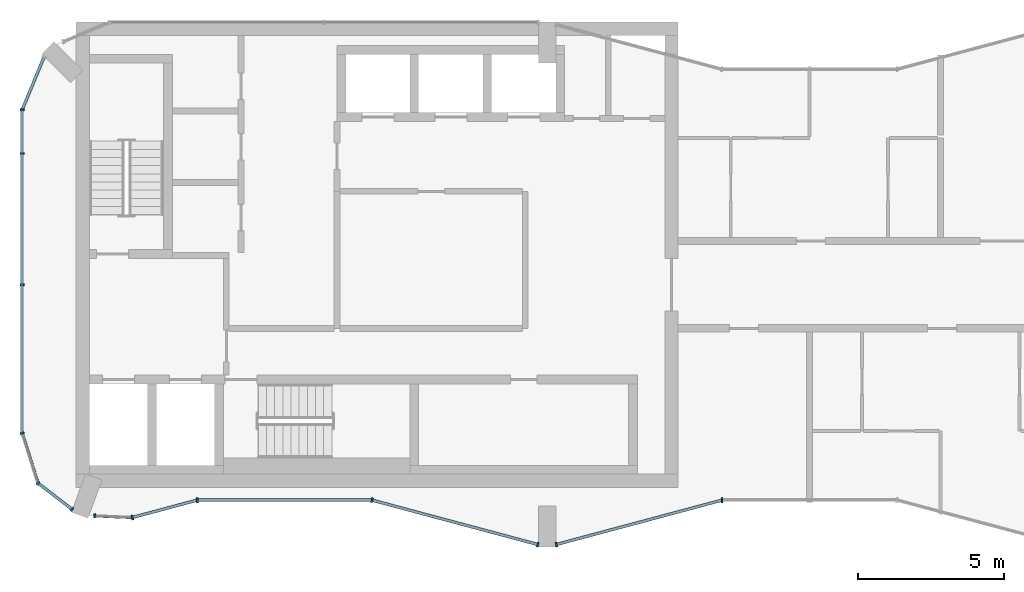
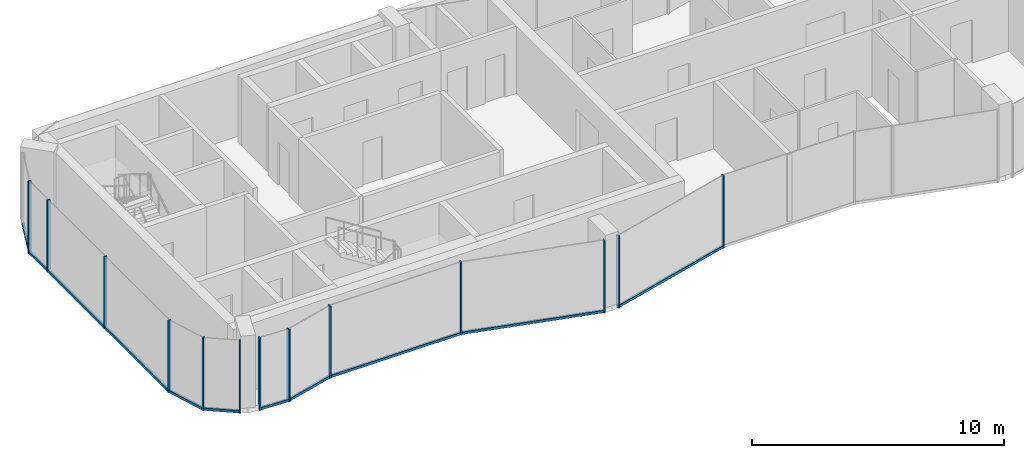
# One storey, part 2 of 10: 22 members, 10 elements without a shape of their own.
"""IFC4 building model written with IfcOpenShell, lengths in metres."""

import ifcopenshell
import ifcopenshell.guid

model = None  # the IFC model being written
_history = None  # IfcOwnerHistory: only IFC2X3 demands one
_inside = {}  # id of a spatial element -> (the spatial element, [elements in it])
_under = {}  # id of a project, library or spatial element -> (it, [spatial elements below it])
_declared = {}  # id of a project -> (the project, [libraries it declares])
_typed = {}  # id of a type object -> (the type object, [elements of that type])
_made_of = {}  # id of a material, layer set ... -> (it, [elements and type objects made of it])


def new_model(schema):
    """Start an empty IFC model of exactly this schema.

    Asked for "IFC4X3", IfcOpenShell would pick the latest addendum, in which some entities
    have other attributes; the version numbers below select the first issue.
    IFC2X3 requires an IfcOwnerHistory on every rooted entity: one is made here for all.
    """
    global model, _history
    if schema == "IFC4X3":
        model = ifcopenshell.file(schema_version=(4, 3, 0, 0))
    else:
        model = ifcopenshell.file(schema=schema)
    _inside.clear()
    _under.clear()
    _declared.clear()
    _typed.clear()
    _made_of.clear()
    _history = None
    if model.schema == "IFC2X3":
        org = make("IfcOrganization", Name="unknown")
        user = make(
            "IfcPersonAndOrganization",
            ThePerson=make("IfcPerson", FamilyName="unknown"),
            TheOrganization=org,
        )
        app = make(
            "IfcApplication",
            ApplicationDeveloper=org,
            Version="unknown",
            ApplicationFullName="unknown",
            ApplicationIdentifier="unknown",
        )
        _history = make(
            "IfcOwnerHistory",
            OwningUser=user,
            OwningApplication=app,
            ChangeAction="ADDED",
            CreationDate=0,
        )
    return model


def make(cls, **values):
    """One entity of the class cls with the attributes given. An attribute that is None is left unset."""
    return model.create_entity(
        cls, **{name: value for name, value in values.items() if value is not None}
    )


def rooted(cls, **values):
    """An entity with a GlobalId (a new one), such as an element, a storey or a relation."""
    return make(cls, GlobalId=ifcopenshell.guid.new(), OwnerHistory=_history, **values)


def si_unit(unit_type, name, prefix=None):
    """IfcSIUnit, for example si_unit("LENGTHUNIT", "METRE", prefix="MILLI")."""
    return make("IfcSIUnit", UnitType=unit_type, Prefix=prefix, Name=name)


def assignment(units):
    """IfcUnitAssignment: the units of a project."""
    return None if units is None else make("IfcUnitAssignment", Units=units)


def point(xyz):
    """IfcCartesianPoint."""
    return None if xyz is None else make("IfcCartesianPoint", Coordinates=xyz)


def direction(xyz):
    """IfcDirection."""
    return None if xyz is None else make("IfcDirection", DirectionRatios=xyz)


def frame(location, z_axis=None, x_axis=None):
    """IfcAxis2Placement3D, a coordinate frame: its origin and axes. An axis left out is left unset."""
    return make(
        "IfcAxis2Placement3D",
        Location=point(location),
        Axis=direction(z_axis),
        RefDirection=direction(x_axis),
    )


def frame_2d(location, x_axis=None):
    """IfcAxis2Placement2D, a coordinate frame in the plane: its origin and x axis."""
    return make(
        "IfcAxis2Placement2D", Location=point(location), RefDirection=direction(x_axis)
    )


def origin():
    """The frame at (0, 0, 0) with its axes left unset."""
    return frame((0.0, 0.0, 0.0))


def origin_2d():
    """The frame at (0, 0) in the plane with its x axis left unset."""
    return frame_2d((0.0, 0.0))


def place(relative_to, where):
    """IfcLocalPlacement: puts the frame where relative to a parent placement (None: the world)."""
    return make(
        "IfcLocalPlacement", PlacementRelTo=relative_to, RelativePlacement=where
    )


def context(
    kind, dimensions, precision=None, world=None, true_north=None, identifier=None
):
    """IfcGeometricRepresentationContext, for example the 3D "Model" context."""
    return make(
        "IfcGeometricRepresentationContext",
        ContextIdentifier=identifier,
        ContextType=kind,
        CoordinateSpaceDimension=dimensions,
        Precision=precision,
        WorldCoordinateSystem=world,
        TrueNorth=true_north,
    )


def subcontext(parent, identifier, kind, view, scale=None):
    """IfcGeometricRepresentationSubContext, for example "Body" below "Model"."""
    return make(
        "IfcGeometricRepresentationSubContext",
        ContextIdentifier=identifier,
        ContextType=kind,
        ParentContext=parent,
        TargetScale=scale,
        TargetView=view,
    )


def project(units=None, contexts=None):
    """IfcProject with its units and contexts."""
    return rooted(
        "IfcProject",
        Name="project",
        RepresentationContexts=contexts,
        UnitsInContext=assignment(units),
    )


def spatial(cls, under=None, at=None, **own):
    """A site, building, storey or space (cls), placed at a placement, below another one or the project."""
    s = rooted(cls, ObjectPlacement=at, **own)
    if under is not None:
        _under.setdefault(under.id(), (under, []))[1].append(s)
    return s


def profile(cls, at=None, kind="AREA", **sizes):
    """A parametric profile (cls). Its sizes go by their IFC names, for example OverallWidth=200.0."""
    return make(cls, ProfileType=kind, Position=at, **sizes)


def rectangle(**sizes):
    """IfcRectangleProfileDef."""
    return profile("IfcRectangleProfileDef", **sizes)


def extrude(swept, where, along, depth):
    """IfcExtrudedAreaSolid: the profile swept, set in the frame where, extruded along a direction by depth."""
    return make(
        "IfcExtrudedAreaSolid",
        SweptArea=swept,
        Position=where,
        ExtrudedDirection=direction(along),
        Depth=depth,
    )


def shape(context_of_items, identifier, shape_type, items):
    """IfcShapeRepresentation: the items that make up one representation, for example the "Body"."""
    return make(
        "IfcShapeRepresentation",
        ContextOfItems=context_of_items,
        RepresentationIdentifier=identifier,
        RepresentationType=shape_type,
        Items=items,
    )


def material(Name=None, Category=None):
    """IfcMaterial."""
    return make("IfcMaterial", Name=Name, Category=Category)


def layer(
    of_material, thickness, ventilated=None, Name=None, Category=None, Priority=None
):
    """IfcMaterialLayer: one layer of a wall or slab, of a material (None: an air gap)."""
    return make(
        "IfcMaterialLayer",
        Material=of_material,
        LayerThickness=thickness,
        IsVentilated=ventilated,
        Name=Name,
        Category=Category,
        Priority=Priority,
    )


def layer_set(layers, Name=None):
    """IfcMaterialLayerSet."""
    return make("IfcMaterialLayerSet", MaterialLayers=layers, LayerSetName=Name)


def material_profile(
    of_material, cross_section, Name=None, Category=None, Priority=None
):
    """IfcMaterialProfile: a cross section and its material."""
    return make(
        "IfcMaterialProfile",
        Name=Name,
        Material=of_material,
        Profile=cross_section,
        Priority=Priority,
        Category=Category,
    )


def profile_set(profiles, Name=None, composite=None):
    """IfcMaterialProfileSet."""
    return make(
        "IfcMaterialProfileSet",
        Name=Name,
        MaterialProfiles=profiles,
        CompositeProfile=composite,
    )


def made_of(thing, what):
    """Note that an element or type object is made of a material, layer set ...; save() writes the relation."""
    if what is not None:
        _made_of.setdefault(what.id(), (what, []))[1].append(thing)
    return thing


def type_object(cls, material=None, **own):
    """A type object (cls), such as IfcWallType, which elements share."""
    return made_of(rooted(cls, **own), material)


def element(
    cls,
    number,
    at=None,
    inside=None,
    cuts=None,
    type_object=None,
    material=None,
    context=None,
    identifier="Body",
    shape_type=None,
    held_by="IfcProductDefinitionShape",
    body=None,
    shapes=None,
    **own,
):
    """One element of the class cls, such as IfcWall. Its Tag is "e" and its number.

    at: its placement. inside: the storey or other place that contains it. cuts: it is an
    opening in that element (IfcRelVoidsElement). A single representation is given by context,
    identifier, shape_type and body (its items); several are given by shapes. held_by: the class
    of the entity that holds the representations. save() writes the other relations.
    """
    e = rooted(cls, Tag="e%d" % number, ObjectPlacement=at, **own)
    if body is not None:
        shapes = [shape(context, identifier, shape_type, body)]
    if shapes is not None:
        e.Representation = make(held_by, Representations=shapes)
    if inside is not None:
        _inside.setdefault(inside.id(), (inside, []))[1].append(e)
    if cuts is not None:
        rooted(
            "IfcRelVoidsElement", RelatingBuildingElement=cuts, RelatedOpeningElement=e
        )
    if type_object is not None:
        _typed.setdefault(type_object.id(), (type_object, []))[1].append(e)
    return made_of(e, material)


def aggregate(whole, parts):
    """IfcRelAggregates: a whole, such as a stair, and the parts it consists of."""
    return rooted("IfcRelAggregates", RelatingObject=whole, RelatedObjects=parts)


def save(model, path):
    """Write the relations noted so far, then the file.

    IfcRelAggregates (storeys below a building ...), IfcRelContainedInSpatialStructure (elements
    in a storey), IfcRelDefinesByType, IfcRelAssociatesMaterial and IfcRelDeclares: one each for
    every whole, place, type object, material and project.
    """
    for whole, parts in _under.values():
        aggregate(whole, parts)
    for where, things in _inside.values():
        rooted(
            "IfcRelContainedInSpatialStructure",
            RelatedElements=things,
            RelatingStructure=where,
        )
    for kind, things in _typed.values():
        rooted("IfcRelDefinesByType", RelatedObjects=things, RelatingType=kind)
    for what, things in _made_of.values():
        rooted("IfcRelAssociatesMaterial", RelatedObjects=things, RelatingMaterial=what)
    for by, libraries in _declared.values():
        rooted("IfcRelDeclares", RelatingContext=by, RelatedDefinitions=libraries)
    model.write(path)


model = new_model("IFC4")

# Units and contexts
model_context = context("Model", 3, precision=1e-05, world=origin(), true_north=direction((0.0, 1.0)))
body_context = subcontext(model_context, "Body", "Model", "MODEL_VIEW")
ifc_project = project(units=[si_unit("LENGTHUNIT", "METRE"), si_unit("AREAUNIT", "SQUARE_METRE"), si_unit("VOLUMEUNIT", "CUBIC_METRE"), si_unit("PLANEANGLEUNIT", "RADIAN"), si_unit("MASSUNIT", "GRAM", prefix="KILO")], contexts=[model_context])

# Site, building, storey
site_placement = place(None, origin())
site = spatial("IfcSite", under=ifc_project, at=site_placement, CompositionType="ELEMENT")
building_placement = place(site_placement, origin())
building = spatial("IfcBuilding", under=site, at=building_placement, Name="Plateau Cross Towers", CompositionType="ELEMENT")
storey_placement = place(building_placement, frame((0.0, 0.0, 280.89990234375)))
storey = spatial("IfcBuildingStorey", under=building, at=storey_placement, Name="L74", CompositionType="ELEMENT", Elevation=280.89990234375)

# Curtain wall, members
ifc_material_1 = material(Name="Dark low-iron glass", Category="glass")
ifc_layer_1 = layer(ifc_material_1, 0.239990234375)
ifc_layer_set_1 = layer_set([ifc_layer_1], Name="Dark low-iron glass")
curtain_wall_type_1 = type_object("IfcCurtainWallType", Name="Curtain wall flush unitised CW-B", PredefinedType="NOTDEFINED", material=ifc_layer_set_1)
curtain_wall_1_placement = place(storey_placement, origin())
curtain_wall_1 = element("IfcCurtainWall", 1, at=curtain_wall_1_placement, inside=storey, type_object=curtain_wall_type_1, Name="ENV/A/L74/A0_150", PredefinedType="NOTDEFINED")
ifc_material_2 = material(Name="Black anodised aluminium", Category="aluminium")
ifc_material_profile_1 = material_profile(ifc_material_2, rectangle(XDim=0.06005859375, YDim=0.139892578125, at=origin_2d()), Name="MULLION 60x140")
ifc_profile_set_1 = profile_set([ifc_material_profile_1], Name="Black anodised aluminium")
member_type_1 = type_object("IfcMemberType", Name="Mullion 60x140 flush unitised", PredefinedType="MULLION", material=ifc_profile_set_1)
member_1_placement = place(storey_placement, frame((0.0, 15.0, -0.25), z_axis=(0.0, 0.0, 1.0), x_axis=(0.0, -1.0, 0.0)))
member_1 = element("IfcMember", 2, at=member_1_placement, type_object=member_type_1, Name="CW-B mullion 1", PredefinedType="MULLION", context=body_context, shape_type="SweptSolid", body=[
    extrude(rectangle(XDim=0.06005859375, YDim=0.139892578125, at=origin_2d()), origin(), (0.0, 0.0, 1.0), 3.5),
])
member_2_placement = place(storey_placement, frame((0.0, 13.5, -0.25), z_axis=(0.0, 0.0, 1.0), x_axis=(0.0, -1.0, 0.0)))
member_2 = element("IfcMember", 3, at=member_2_placement, type_object=member_type_1, Name="CW-B mullion 2", PredefinedType="MULLION", context=body_context, shape_type="SweptSolid", body=[
    extrude(rectangle(XDim=0.06005859375, YDim=0.139892578125, at=origin_2d()), origin(), (0.0, 0.0, 1.0), 3.5),
])
member_3_placement = place(storey_placement, frame((0.0, 9.0, -0.25), z_axis=(0.0, 0.0, 1.0), x_axis=(0.0, -1.0, 0.0)))
member_3 = element("IfcMember", 4, at=member_3_placement, type_object=member_type_1, Name="CW-B mullion 3", PredefinedType="MULLION", context=body_context, shape_type="SweptSolid", body=[
    extrude(rectangle(XDim=0.06005859375, YDim=0.139892578125, at=origin_2d()), origin(), (0.0, 0.0, 1.0), 3.5),
])

# Curtain wall, member
curtain_wall_2_placement = place(storey_placement, origin())
curtain_wall_2 = element("IfcCurtainWall", 5, at=curtain_wall_2_placement, inside=storey, type_object=curtain_wall_type_1, Name="ENV/A/L74/A0_39", PredefinedType="NOTDEFINED")
member_4_placement = place(storey_placement, frame((0.0, 3.9091796875, -0.25), z_axis=(0.0, 0.0, 1.0), x_axis=(0.300686174994, -0.95372313811, 0.0)))
member_4 = element("IfcMember", 6, at=member_4_placement, type_object=member_type_1, Name="CW-B mullion 1", PredefinedType="MULLION", context=body_context, shape_type="SweptSolid", body=[
    extrude(rectangle(XDim=0.06005859375, YDim=0.139892578125, at=origin_2d()), origin(), (0.0, 0.0, 1.0), 3.5),
])

# Curtain wall, members
curtain_wall_3_placement = place(storey_placement, origin())
curtain_wall_3 = element("IfcCurtainWall", 7, at=curtain_wall_3_placement, inside=storey, type_object=curtain_wall_type_1, Name="ENV/A/L74/A5_22", PredefinedType="NOTDEFINED")
member_5_placement = place(storey_placement, frame((0.54248046875, 2.1884765625, -0.25), z_axis=(0.0, 0.0, 1.0), x_axis=(0.793315514529, -0.608810721331, 0.0)))
member_5 = element("IfcMember", 8, at=member_5_placement, type_object=member_type_1, Name="CW-B mullion 1", PredefinedType="MULLION", context=body_context, shape_type="SweptSolid", body=[
    extrude(rectangle(XDim=0.06005859375, YDim=0.139892578125, at=origin_2d()), origin(), (0.0, 0.0, 1.0), 3.5),
])
member_6_placement = place(storey_placement, frame((1.709716796875, 1.292724609375, -0.25), z_axis=(0.0, 0.0, 1.0), x_axis=(0.793315514529, -0.608810721331, 0.0)))
member_6 = element("IfcMember", 9, at=member_6_placement, type_object=member_type_1, Name="CW-B mullion 2", PredefinedType="MULLION", context=body_context, shape_type="SweptSolid", body=[
    extrude(rectangle(XDim=0.06005859375, YDim=0.139892578125, at=origin_2d()), origin(), (0.0, 0.0, 1.0), 3.5),
])

# Curtain wall, member
curtain_wall_4_placement = place(storey_placement, origin())
curtain_wall_4 = element("IfcCurtainWall", 10, at=curtain_wall_4_placement, inside=storey, type_object=curtain_wall_type_1, Name="ENV/A/L74/A25_11", PredefinedType="NOTDEFINED")
member_7_placement = place(storey_placement, frame((2.483642578125, 1.06787109375, -0.25), z_axis=(0.0, 0.0, 1.0), x_axis=(0.999043701491, -0.043722791671, 0.0)))
member_7 = element("IfcMember", 11, at=member_7_placement, type_object=member_type_1, Name="CW-B mullion 1", PredefinedType="MULLION", context=body_context, shape_type="SweptSolid", body=[
    extrude(rectangle(XDim=0.06005859375, YDim=0.139892578125, at=origin_2d()), origin(), (0.0, 0.0, 1.0), 3.5),
])

ifc_layer_2 = layer(ifc_material_1, 0.260009765625)
ifc_layer_set_2 = layer_set([ifc_layer_2], Name="Dark low-iron glass")
curtain_wall_type_2 = type_object("IfcCurtainWallType", Name="Curtain wall fluted unitised CW-A", PredefinedType="NOTDEFINED", material=ifc_layer_set_2)
curtain_wall_5_placement = place(storey_placement, origin())
curtain_wall_5 = element("IfcCurtainWall", 12, at=curtain_wall_5_placement, inside=storey, type_object=curtain_wall_type_2, Name="ENV/A/L74/A38_10", PredefinedType="NOTDEFINED")
ifc_material_profile_2 = material_profile(ifc_material_2, rectangle(XDim=0.06005859375, YDim=0.159912109375, at=origin_2d()), Name="MULLION 60x160")
ifc_profile_set_2 = profile_set([ifc_material_profile_2], Name="Black anodised aluminium")
member_type_2 = type_object("IfcMemberType", Name="Mullion 60x160 fluted unitised", PredefinedType="MULLION", material=ifc_profile_set_2)
member_8_placement = place(storey_placement, frame((3.776123046875, 1.01123046875, -0.25), z_axis=(0.0, 0.0, 1.0), x_axis=(0.965957962328, 0.258699081978, 0.0)))
member_8 = element("IfcMember", 13, at=member_8_placement, type_object=member_type_2, Name="CW-A mullion 1", PredefinedType="MULLION", context=body_context, shape_type="SweptSolid", body=[
    extrude(rectangle(XDim=0.06005859375, YDim=0.159912109375, at=origin_2d()), origin(), (0.0, 0.0, 1.0), 3.5),
])

curtain_wall_6_placement = place(storey_placement, origin())
curtain_wall_6 = element("IfcCurtainWall", 14, at=curtain_wall_6_placement, inside=storey, type_object=curtain_wall_type_2, Name="ENV/A/L74/A60_16", PredefinedType="NOTDEFINED")
member_9_placement = place(storey_placement, frame((6.0, 1.60693359375, -0.25), z_axis=(0.0, 0.0, 1.0), x_axis=(1.0, 0.0, 0.0)))
member_9 = element("IfcMember", 15, at=member_9_placement, type_object=member_type_2, Name="CW-A mullion 1", PredefinedType="MULLION", context=body_context, shape_type="SweptSolid", body=[
    extrude(rectangle(XDim=0.06005859375, YDim=0.159912109375, at=origin_2d()), origin(), (0.0, 0.0, 1.0), 3.5),
])

# Curtain wall, members
curtain_wall_7_placement = place(storey_placement, origin())
curtain_wall_7 = element("IfcCurtainWall", 16, at=curtain_wall_7_placement, inside=storey, type_object=curtain_wall_type_2, Name="ENV/A/L74/A120_16", PredefinedType="NOTDEFINED")
member_10_placement = place(storey_placement, frame((12.0, 1.60693359375, -0.25), z_axis=(0.0, 0.0, 1.0), x_axis=(0.965957983404, -0.258699003279, 0.0)))
member_10 = element("IfcMember", 17, at=member_10_placement, type_object=member_type_2, Name="CW-A mullion 1", PredefinedType="MULLION", context=body_context, shape_type="SweptSolid", body=[
    extrude(rectangle(XDim=0.06005859375, YDim=0.159912109375, at=origin_2d()), origin(), (0.0, 0.0, 1.0), 3.5),
])
member_11_placement = place(storey_placement, frame((17.68212890625, 0.085205078125, -0.25), z_axis=(0.0, 0.0, 1.0), x_axis=(0.965957983404, -0.258699003279, 0.0)))
member_11 = element("IfcMember", 18, at=member_11_placement, type_object=member_type_2, Name="CW-A mullion 2", PredefinedType="MULLION", context=body_context, shape_type="SweptSolid", body=[
    extrude(rectangle(XDim=0.06005859375, YDim=0.159912109375, at=origin_2d()), origin(), (0.0, 0.0, 1.0), 3.5),
])

# Curtain wall, member
curtain_wall_8_placement = place(storey_placement, origin())
curtain_wall_8 = element("IfcCurtainWall", 19, at=curtain_wall_8_placement, inside=storey, type_object=curtain_wall_type_2, Name="ENV/A/L74/A183_1", PredefinedType="NOTDEFINED")
member_12_placement = place(storey_placement, frame((18.31787109375, 0.085205078125, -0.25), z_axis=(0.0, 0.0, 1.0), x_axis=(0.965957983404, 0.258699003279, 0.0)))
member_12 = element("IfcMember", 20, at=member_12_placement, type_object=member_type_2, Name="CW-A mullion 1", PredefinedType="MULLION", context=body_context, shape_type="SweptSolid", body=[
    extrude(rectangle(XDim=0.06005859375, YDim=0.159912109375, at=origin_2d()), origin(), (0.0, 0.0, 1.0), 3.5),
])

curtain_wall_9_placement = place(storey_placement, origin())
curtain_wall_9 = element("IfcCurtainWall", 21, at=curtain_wall_9_placement, inside=storey, type_object=curtain_wall_type_2, Name="ENV/A/L74/A240_16", PredefinedType="NOTDEFINED")
member_13_placement = place(storey_placement, frame((24.0, 1.60693359375, -0.25), z_axis=(0.0, 0.0, 1.0), x_axis=(1.0, 0.0, 0.0)))
member_13 = element("IfcMember", 22, at=member_13_placement, type_object=member_type_2, Name="CW-A mullion 1", PredefinedType="MULLION", context=body_context, shape_type="SweptSolid", body=[
    extrude(rectangle(XDim=0.06005859375, YDim=0.159912109375, at=origin_2d()), origin(), (0.0, 0.0, 1.0), 3.5),
])
aggregate(curtain_wall_9, [member_13])

curtain_wall_10_placement = place(storey_placement, origin())
curtain_wall_10 = element("IfcCurtainWall", 23, at=curtain_wall_10_placement, inside=storey, type_object=curtain_wall_type_1, Name="ENV/A/L74/A7_168", PredefinedType="NOTDEFINED")
ifc_material_profile_3 = material_profile(ifc_material_2, rectangle(XDim=0.10009765625, YDim=0.1201171875, at=origin_2d()), Name="TRANSOM 100x120")
ifc_profile_set_3 = profile_set([ifc_material_profile_3], Name="Black anodised aluminium")
member_type_3 = type_object("IfcMemberType", Name="Transom 100x120 flush unitised", PredefinedType="USERDEFINED", material=ifc_profile_set_3)
member_14_placement = place(storey_placement, frame((0.748046875, 16.805908203125, -0.18994140625), z_axis=(-0.382690071798, -0.92387678234, 0.0), x_axis=(0.92387678234, -0.382690071798, 0.0)))
member_14 = element("IfcMember", 24, at=member_14_placement, type_object=member_type_3, Name="CW-B transom", ObjectType="TRANSOM", PredefinedType="USERDEFINED", context=body_context, shape_type="SweptSolid", body=[
    extrude(rectangle(XDim=0.10009765625, YDim=0.1201171875, at=origin_2d()), origin(), (0.0, 0.0, 1.0), 1.95458984375),
])
aggregate(curtain_wall_10, [member_14])

# Member
member_15_placement = place(storey_placement, frame((0.0, 15.0, -0.18994140625), z_axis=(0.0, -1.0, 0.0), x_axis=(1.0, 0.0, 0.0)))
member_15 = element("IfcMember", 25, at=member_15_placement, type_object=member_type_3, Name="CW-B transom", ObjectType="TRANSOM", PredefinedType="USERDEFINED", context=body_context, shape_type="SweptSolid", body=[
    extrude(rectangle(XDim=0.10009765625, YDim=0.1201171875, at=origin_2d()), origin(), (0.0, 0.0, 1.0), 11.0908203125),
])

aggregate(curtain_wall_1, [member_1, member_2, member_3, member_15])

member_16_placement = place(storey_placement, frame((0.0, 3.9091796875, -0.18994140625), z_axis=(0.30067799945, -0.953725715626, 0.0), x_axis=(0.953725715626, 0.30067799945, 0.0)))
member_16 = element("IfcMember", 26, at=member_16_placement, type_object=member_type_3, Name="CW-B transom", ObjectType="TRANSOM", PredefinedType="USERDEFINED", context=body_context, shape_type="SweptSolid", body=[
    extrude(rectangle(XDim=0.10009765625, YDim=0.1201171875, at=origin_2d()), origin(), (0.0, 0.0, 1.0), 1.80419921875),
])

aggregate(curtain_wall_2, [member_4, member_16])

member_17_placement = place(storey_placement, frame((0.54248046875, 2.1884765625, -0.18994140625), z_axis=(0.793320508571, -0.608804213751, 0.0), x_axis=(0.608804213751, 0.793320508571, 0.0)))
member_17 = element("IfcMember", 27, at=member_17_placement, type_object=member_type_3, Name="CW-B transom", ObjectType="TRANSOM", PredefinedType="USERDEFINED", context=body_context, shape_type="SweptSolid", body=[
    extrude(rectangle(XDim=0.10009765625, YDim=0.1201171875, at=origin_2d()), origin(), (0.0, 0.0, 1.0), 1.471435546875),
])

aggregate(curtain_wall_3, [member_5, member_6, member_17])

member_18_placement = place(storey_placement, frame((2.483642578125, 1.06787109375, -0.18994140625), z_axis=(0.999041144614, -0.043781175963, 0.0), x_axis=(0.043781175963, 0.999041144614, 0.0)))
member_18 = element("IfcMember", 28, at=member_18_placement, type_object=member_type_3, Name="CW-B transom", ObjectType="TRANSOM", PredefinedType="USERDEFINED", context=body_context, shape_type="SweptSolid", body=[
    extrude(rectangle(XDim=0.10009765625, YDim=0.1201171875, at=origin_2d()), origin(), (0.0, 0.0, 1.0), 1.293701171875),
])

aggregate(curtain_wall_4, [member_7, member_18])

ifc_material_profile_4 = material_profile(ifc_material_2, rectangle(XDim=0.10009765625, YDim=0.1201171875, at=origin_2d()), Name="TRANSOM 100x120")
ifc_profile_set_4 = profile_set([ifc_material_profile_4], Name="Black anodised aluminium")
member_type_4 = type_object("IfcMemberType", Name="Transom 100x120 fluted unitised", PredefinedType="USERDEFINED", material=ifc_profile_set_4)
member_19_placement = place(storey_placement, frame((3.776123046875, 1.01123046875, -0.18994140625), z_axis=(0.965945685136, 0.258744919501, 0.0), x_axis=(-0.258744919501, 0.965945685136, 0.0)))
member_19 = element("IfcMember", 29, at=member_19_placement, type_object=member_type_4, Name="CW-A transom", ObjectType="TRANSOM", PredefinedType="USERDEFINED", context=body_context, shape_type="SweptSolid", body=[
    extrude(rectangle(XDim=0.10009765625, YDim=0.1201171875, at=origin_2d()), origin(), (0.0, 0.0, 1.0), 2.30224609375),
])

aggregate(curtain_wall_5, [member_8, member_19])

member_20_placement = place(storey_placement, frame((6.0, 1.60693359375, -0.18994140625), z_axis=(1.0, 0.0, 0.0), x_axis=(0.0, 1.0, 0.0)))
member_20 = element("IfcMember", 30, at=member_20_placement, type_object=member_type_4, Name="CW-A transom", ObjectType="TRANSOM", PredefinedType="USERDEFINED", context=body_context, shape_type="SweptSolid", body=[
    extrude(rectangle(XDim=0.10009765625, YDim=0.1201171875, at=origin_2d()), origin(), (0.0, 0.0, 1.0), 6.0),
])

aggregate(curtain_wall_6, [member_9, member_20])

member_21_placement = place(storey_placement, frame((12.0, 1.60693359375, -0.18994140625), z_axis=(0.965959534794, -0.258693210465, 0.0), x_axis=(0.258693210465, 0.965959534794, 0.0)))
member_21 = element("IfcMember", 31, at=member_21_placement, type_object=member_type_4, Name="CW-A transom", ObjectType="TRANSOM", PredefinedType="USERDEFINED", context=body_context, shape_type="SweptSolid", body=[
    extrude(rectangle(XDim=0.10009765625, YDim=0.1201171875, at=origin_2d()), origin(), (0.0, 0.0, 1.0), 5.88232421875),
])

aggregate(curtain_wall_7, [member_10, member_11, member_21])

member_22_placement = place(storey_placement, frame((18.31787109375, 0.085205078125, -0.18994140625), z_axis=(0.965959534794, 0.258693210465, 0.0), x_axis=(-0.258693210465, 0.965959534794, 0.0)))
member_22 = element("IfcMember", 32, at=member_22_placement, type_object=member_type_4, Name="CW-A transom", ObjectType="TRANSOM", PredefinedType="USERDEFINED", context=body_context, shape_type="SweptSolid", body=[
    extrude(rectangle(XDim=0.10009765625, YDim=0.1201171875, at=origin_2d()), origin(), (0.0, 0.0, 1.0), 5.88232421875),
])

aggregate(curtain_wall_8, [member_12, member_22])

save(model, "model.ifc")
